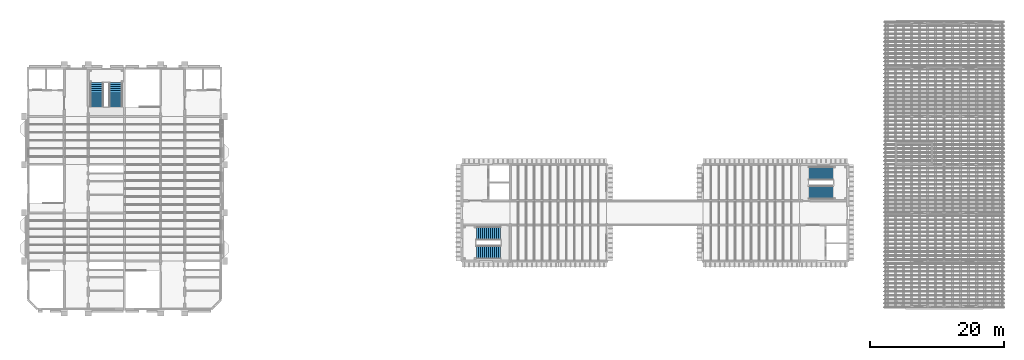
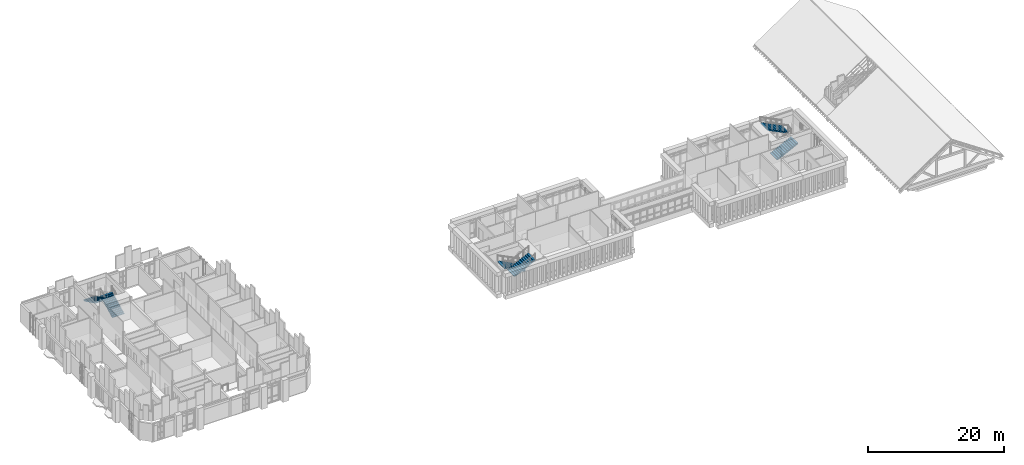
# One storey, part 45 of 51: 6 stair flights, 3 elements without a shape of their own.
"""IFC4 building model written with IfcOpenShell, lengths in metres."""

from ifc_helpers import new_model, si_unit, direction, frame, origin, place, context, subcontext, project, spatial, faceted_brep, material, type_object, element, aggregate, save


model = new_model("IFC4")

# Units and contexts
model_context = context("Model", 3, precision=1e-05, world=origin(), true_north=direction((0.0, 1.0)))
body_context = subcontext(model_context, "Body", "Model", "MODEL_VIEW")
ifc_project = project(units=[si_unit("LENGTHUNIT", "METRE"), si_unit("AREAUNIT", "SQUARE_METRE"), si_unit("VOLUMEUNIT", "CUBIC_METRE"), si_unit("PLANEANGLEUNIT", "RADIAN"), si_unit("MASSUNIT", "GRAM", prefix="KILO")], contexts=[model_context])

# Site, building, storey
site_placement = place(None, origin())
site = spatial("IfcSite", under=ifc_project, at=site_placement, CompositionType="ELEMENT")
building_placement = place(site_placement, origin())
building = spatial("IfcBuilding", under=site, at=building_placement, Name="Mazhai Court Health Centre", CompositionType="ELEMENT")
storey_placement = place(building_placement, frame((0.0, 0.0, 14.10009765625)))
storey = spatial("IfcBuildingStorey", under=building, at=storey_placement, Name="L03", CompositionType="ELEMENT", Elevation=14.10009765625)

# Stair, stair flights
ifc_material_1 = material(Name="Concrete M40", Category="concrete")
stair_type = type_object("IfcStairType", Name="RC STAIR 2000 26R", PredefinedType="DOUBLE_RETURN_STAIR", material=ifc_material_1)
stair_1_placement = place(storey_placement, origin())
stair_1 = element("IfcStair", 1, at=stair_1_placement, inside=storey, type_object=stair_type, Name="L03 Stair 3", PredefinedType="HALF_TURN_STAIR")
ifc_material_2 = material(Name="Concrete M40", Category="concrete")
stair_flight_type = type_object("IfcStairFlightType", Name="RC STAIR FLIGHT 13R 2000", PredefinedType="STRAIGHT", material=ifc_material_2)
stair_flight_1_placement = place(storey_placement, frame((19.304931640625, 36.43505859375, 0.0), z_axis=(0.0, 0.0, 1.0), x_axis=(0.0, 1.0, 0.0)))
stair_flight_1 = element("IfcStairFlight", 2, at=stair_flight_1_placement, type_object=stair_flight_type, Name="ST3 flight 1", NumberOfRisers=13, NumberOfTreads=12, PredefinedType="STRAIGHT", RiserHeight=0.15, TreadLength=0.3, context=body_context, shape_type="Brep", body=[
    faceted_brep([(0.0, 1.0, 0.0), (0.0, 1.0, 0.14990234375), (0.300048828125, 1.0, 0.14990234375), (0.300048828125, 1.0, 0.300048828125), (0.60009765625, 1.0, 0.300048828125), (0.60009765625, 1.0, 0.449951171875), (0.89990234375, 1.0, 0.449951171875), (0.89990234375, 1.0, 0.60009765625), (1.199951171875, 1.0, 0.60009765625), (1.199951171875, 1.0, 0.75), (1.5, 1.0, 0.75), (1.5, 1.0, 0.89990234375), (1.800048828125, 1.0, 0.89990234375), (1.800048828125, 1.0, 1.050048828125), (2.10009765625, 1.0, 1.050048828125), (2.10009765625, 1.0, 1.199951171875), (2.39990234375, 1.0, 1.199951171875), (2.39990234375, 1.0, 1.35009765625), (2.699951171875, 1.0, 1.35009765625), (2.699951171875, 1.0, 1.5), (3.0, 1.0, 1.5), (3.0, 1.0, 1.64990234375), (3.300048828125, 1.0, 1.64990234375), (3.300048828125, 1.0, 1.800048828125), (3.60009765625, 1.0, 1.800048828125), (3.60009765625, 1.0, 1.63232421875), (0.335205078125, 1.0, 0.0), (0.335205078125, -1.0, 0.0), (3.60009765625, -1.0, 1.63232421875), (3.60009765625, -1.0, 1.800048828125), (3.300048828125, -1.0, 1.800048828125), (3.300048828125, -1.0, 1.64990234375), (3.0, -1.0, 1.64990234375), (3.0, -1.0, 1.5), (2.699951171875, -1.0, 1.5), (2.699951171875, -1.0, 1.35009765625), (2.39990234375, -1.0, 1.35009765625), (2.39990234375, -1.0, 1.199951171875), (2.10009765625, -1.0, 1.199951171875), (2.10009765625, -1.0, 1.050048828125), (1.800048828125, -1.0, 1.050048828125), (1.800048828125, -1.0, 0.89990234375), (1.5, -1.0, 0.89990234375), (1.5, -1.0, 0.75), (1.199951171875, -1.0, 0.75), (1.199951171875, -1.0, 0.60009765625), (0.89990234375, -1.0, 0.60009765625), (0.89990234375, -1.0, 0.449951171875), (0.60009765625, -1.0, 0.449951171875), (0.60009765625, -1.0, 0.300048828125), (0.300048828125, -1.0, 0.300048828125), (0.300048828125, -1.0, 0.14990234375), (0.0, -1.0, 0.14990234375), (0.0, -1.0, 0.0), (0.0, 0.0, 0.0), (0.0, 0.0, 0.14990234375), (0.300048828125, 0.0, 0.14990234375), (0.300048828125, 0.0, 0.300048828125), (0.60009765625, 0.0, 0.300048828125), (0.60009765625, 0.0, 0.449951171875), (0.89990234375, 0.0, 0.449951171875), (0.89990234375, 0.0, 0.60009765625), (1.199951171875, 0.0, 0.60009765625), (1.199951171875, 0.0, 0.75), (1.5, 0.0, 0.75), (1.5, 0.0, 0.89990234375), (1.800048828125, 0.0, 0.89990234375), (1.800048828125, 0.0, 1.050048828125), (2.10009765625, 0.0, 1.050048828125), (2.10009765625, 0.0, 1.199951171875), (2.39990234375, 0.0, 1.199951171875), (2.39990234375, 0.0, 1.35009765625), (2.699951171875, 0.0, 1.35009765625), (2.699951171875, 0.0, 1.5), (3.0, 0.0, 1.5), (3.0, 0.0, 1.64990234375), (3.300048828125, 0.0, 1.64990234375), (3.300048828125, 0.0, 1.800048828125), (3.60009765625, 0.0, 1.800048828125), (3.60009765625, 0.0, 1.63232421875), (0.335205078125, 0.0, 0.0)], [[[0, 1, 2, 3, 4, 5, 6, 7, 8, 9, 10, 11, 12, 13, 14, 15, 16, 17, 18, 19, 20, 21, 22, 23, 24, 25, 26]], [[27, 28, 29, 30, 31, 32, 33, 34, 35, 36, 37, 38, 39, 40, 41, 42, 43, 44, 45, 46, 47, 48, 49, 50, 51, 52, 53]], [[54, 55, 1, 0]], [[53, 52, 55, 54]], [[55, 56, 2, 1]], [[52, 51, 56, 55]], [[56, 57, 3, 2]], [[51, 50, 57, 56]], [[57, 58, 4, 3]], [[50, 49, 58, 57]], [[58, 59, 5, 4]], [[49, 48, 59, 58]], [[59, 60, 6, 5]], [[48, 47, 60, 59]], [[60, 61, 7, 6]], [[47, 46, 61, 60]], [[61, 62, 8, 7]], [[46, 45, 62, 61]], [[62, 63, 9, 8]], [[45, 44, 63, 62]], [[63, 64, 10, 9]], [[44, 43, 64, 63]], [[64, 65, 11, 10]], [[43, 42, 65, 64]], [[65, 66, 12, 11]], [[42, 41, 66, 65]], [[66, 67, 13, 12]], [[41, 40, 67, 66]], [[67, 68, 14, 13]], [[40, 39, 68, 67]], [[68, 69, 15, 14]], [[39, 38, 69, 68]], [[69, 70, 16, 15]], [[38, 37, 70, 69]], [[70, 71, 17, 16]], [[37, 36, 71, 70]], [[71, 72, 18, 17]], [[36, 35, 72, 71]], [[72, 73, 19, 18]], [[35, 34, 73, 72]], [[73, 74, 20, 19]], [[34, 33, 74, 73]], [[74, 75, 21, 20]], [[33, 32, 75, 74]], [[75, 76, 22, 21]], [[32, 31, 76, 75]], [[76, 77, 23, 22]], [[31, 30, 77, 76]], [[77, 78, 24, 23]], [[30, 29, 78, 77]], [[78, 79, 25, 24]], [[29, 28, 79, 78]], [[79, 80, 26, 25]], [[28, 27, 80, 79]], [[80, 54, 0, 26]], [[27, 53, 54, 80]]]),
])
stair_flight_2_placement = place(storey_placement, frame((16.455078125, 40.034912109375, 1.949951171875), z_axis=(0.0, 0.0, 1.0), x_axis=(0.0, -1.0, 0.0)))
stair_flight_2 = element("IfcStairFlight", 3, at=stair_flight_2_placement, type_object=stair_flight_type, Name="ST3 flight 2", NumberOfRisers=13, NumberOfTreads=12, PredefinedType="STRAIGHT", RiserHeight=0.15, TreadLength=0.3, context=body_context, shape_type="Brep", body=[
    faceted_brep([(0.0, 1.0, 0.0), (0.0, 1.0, 0.14990234375), (0.300048828125, 1.0, 0.14990234375), (0.300048828125, 1.0, 0.300048828125), (0.60009765625, 1.0, 0.300048828125), (0.60009765625, 1.0, 0.449951171875), (0.89990234375, 1.0, 0.449951171875), (0.89990234375, 1.0, 0.60009765625), (1.199951171875, 1.0, 0.60009765625), (1.199951171875, 1.0, 0.75), (1.5, 1.0, 0.75), (1.5, 1.0, 0.89990234375), (1.800048828125, 1.0, 0.89990234375), (1.800048828125, 1.0, 1.050048828125), (2.10009765625, 1.0, 1.050048828125), (2.10009765625, 1.0, 1.199951171875), (2.39990234375, 1.0, 1.199951171875), (2.39990234375, 1.0, 1.35009765625), (2.699951171875, 1.0, 1.35009765625), (2.699951171875, 1.0, 1.5), (3.0, 1.0, 1.5), (3.0, 1.0, 1.64990234375), (3.300048828125, 1.0, 1.64990234375), (3.300048828125, 1.0, 1.800048828125), (3.60009765625, 1.0, 1.800048828125), (3.60009765625, 1.0, 1.63232421875), (0.335205078125, 1.0, 0.0), (0.335205078125, -1.0, 0.0), (3.60009765625, -1.0, 1.63232421875), (3.60009765625, -1.0, 1.800048828125), (3.300048828125, -1.0, 1.800048828125), (3.300048828125, -1.0, 1.64990234375), (3.0, -1.0, 1.64990234375), (3.0, -1.0, 1.5), (2.699951171875, -1.0, 1.5), (2.699951171875, -1.0, 1.35009765625), (2.39990234375, -1.0, 1.35009765625), (2.39990234375, -1.0, 1.199951171875), (2.10009765625, -1.0, 1.199951171875), (2.10009765625, -1.0, 1.050048828125), (1.800048828125, -1.0, 1.050048828125), (1.800048828125, -1.0, 0.89990234375), (1.5, -1.0, 0.89990234375), (1.5, -1.0, 0.75), (1.199951171875, -1.0, 0.75), (1.199951171875, -1.0, 0.60009765625), (0.89990234375, -1.0, 0.60009765625), (0.89990234375, -1.0, 0.449951171875), (0.60009765625, -1.0, 0.449951171875), (0.60009765625, -1.0, 0.300048828125), (0.300048828125, -1.0, 0.300048828125), (0.300048828125, -1.0, 0.14990234375), (0.0, -1.0, 0.14990234375), (0.0, -1.0, 0.0), (0.0, 0.0, 0.0), (0.0, 0.0, 0.14990234375), (0.300048828125, 0.0, 0.14990234375), (0.300048828125, 0.0, 0.300048828125), (0.60009765625, 0.0, 0.300048828125), (0.60009765625, 0.0, 0.449951171875), (0.89990234375, 0.0, 0.449951171875), (0.89990234375, 0.0, 0.60009765625), (1.199951171875, 0.0, 0.60009765625), (1.199951171875, 0.0, 0.75), (1.5, 0.0, 0.75), (1.5, 0.0, 0.89990234375), (1.800048828125, 0.0, 0.89990234375), (1.800048828125, 0.0, 1.050048828125), (2.10009765625, 0.0, 1.050048828125), (2.10009765625, 0.0, 1.199951171875), (2.39990234375, 0.0, 1.199951171875), (2.39990234375, 0.0, 1.35009765625), (2.699951171875, 0.0, 1.35009765625), (2.699951171875, 0.0, 1.5), (3.0, 0.0, 1.5), (3.0, 0.0, 1.64990234375), (3.300048828125, 0.0, 1.64990234375), (3.300048828125, 0.0, 1.800048828125), (3.60009765625, 0.0, 1.800048828125), (3.60009765625, 0.0, 1.63232421875), (0.335205078125, 0.0, 0.0)], [[[0, 1, 2, 3, 4, 5, 6, 7, 8, 9, 10, 11, 12, 13, 14, 15, 16, 17, 18, 19, 20, 21, 22, 23, 24, 25, 26]], [[27, 28, 29, 30, 31, 32, 33, 34, 35, 36, 37, 38, 39, 40, 41, 42, 43, 44, 45, 46, 47, 48, 49, 50, 51, 52, 53]], [[54, 55, 1, 0]], [[53, 52, 55, 54]], [[55, 56, 2, 1]], [[52, 51, 56, 55]], [[56, 57, 3, 2]], [[51, 50, 57, 56]], [[57, 58, 4, 3]], [[50, 49, 58, 57]], [[58, 59, 5, 4]], [[49, 48, 59, 58]], [[59, 60, 6, 5]], [[48, 47, 60, 59]], [[60, 61, 7, 6]], [[47, 46, 61, 60]], [[61, 62, 8, 7]], [[46, 45, 62, 61]], [[62, 63, 9, 8]], [[45, 44, 63, 62]], [[63, 64, 10, 9]], [[44, 43, 64, 63]], [[64, 65, 11, 10]], [[43, 42, 65, 64]], [[65, 66, 12, 11]], [[42, 41, 66, 65]], [[66, 67, 13, 12]], [[41, 40, 67, 66]], [[67, 68, 14, 13]], [[40, 39, 68, 67]], [[68, 69, 15, 14]], [[39, 38, 69, 68]], [[69, 70, 16, 15]], [[38, 37, 70, 69]], [[70, 71, 17, 16]], [[37, 36, 71, 70]], [[71, 72, 18, 17]], [[36, 35, 72, 71]], [[72, 73, 19, 18]], [[35, 34, 73, 72]], [[73, 74, 20, 19]], [[34, 33, 74, 73]], [[74, 75, 21, 20]], [[33, 32, 75, 74]], [[75, 76, 22, 21]], [[32, 31, 76, 75]], [[76, 77, 23, 22]], [[31, 30, 77, 76]], [[77, 78, 24, 23]], [[30, 29, 78, 77]], [[78, 79, 25, 24]], [[29, 28, 79, 78]], [[79, 80, 26, 25]], [[28, 27, 80, 79]], [[80, 54, 0, 26]], [[27, 53, 54, 80]]]),
])
aggregate(stair_1, [stair_flight_1, stair_flight_2])

stair_2_placement = place(storey_placement, origin())
stair_2 = element("IfcStair", 4, at=stair_2_placement, inside=storey, type_object=stair_type, Name="L03 Stair 6", PredefinedType="HALF_TURN_STAIR")
stair_flight_3_placement = place(storey_placement, frame((76.764892578125, 17.544921875, 0.0), z_axis=(0.0, 0.0, 1.0), x_axis=(-1.0, 0.0, 0.0)))
stair_flight_3 = element("IfcStairFlight", 5, at=stair_flight_3_placement, type_object=stair_flight_type, Name="ST6 flight 1", NumberOfRisers=13, NumberOfTreads=12, PredefinedType="STRAIGHT", RiserHeight=0.15, TreadLength=0.3, context=body_context, shape_type="Brep", body=[
    faceted_brep([(0.0, 1.0, 0.0), (0.0, 1.0, 0.14990234375), (0.300048828125, 1.0, 0.14990234375), (0.300048828125, 1.0, 0.300048828125), (0.60009765625, 1.0, 0.300048828125), (0.60009765625, 1.0, 0.449951171875), (0.89990234375, 1.0, 0.449951171875), (0.89990234375, 1.0, 0.60009765625), (1.199951171875, 1.0, 0.60009765625), (1.199951171875, 1.0, 0.75), (1.5, 1.0, 0.75), (1.5, 1.0, 0.89990234375), (1.800048828125, 1.0, 0.89990234375), (1.800048828125, 1.0, 1.050048828125), (2.10009765625, 1.0, 1.050048828125), (2.10009765625, 1.0, 1.199951171875), (2.39990234375, 1.0, 1.199951171875), (2.39990234375, 1.0, 1.35009765625), (2.699951171875, 1.0, 1.35009765625), (2.699951171875, 1.0, 1.5), (3.0, 1.0, 1.5), (3.0, 1.0, 1.64990234375), (3.300048828125, 1.0, 1.64990234375), (3.300048828125, 1.0, 1.800048828125), (3.60009765625, 1.0, 1.800048828125), (3.60009765625, 1.0, 1.63232421875), (0.335205078125, 1.0, 0.0), (0.335205078125, -1.0, 0.0), (3.60009765625, -1.0, 1.63232421875), (3.60009765625, -1.0, 1.800048828125), (3.300048828125, -1.0, 1.800048828125), (3.300048828125, -1.0, 1.64990234375), (3.0, -1.0, 1.64990234375), (3.0, -1.0, 1.5), (2.699951171875, -1.0, 1.5), (2.699951171875, -1.0, 1.35009765625), (2.39990234375, -1.0, 1.35009765625), (2.39990234375, -1.0, 1.199951171875), (2.10009765625, -1.0, 1.199951171875), (2.10009765625, -1.0, 1.050048828125), (1.800048828125, -1.0, 1.050048828125), (1.800048828125, -1.0, 0.89990234375), (1.5, -1.0, 0.89990234375), (1.5, -1.0, 0.75), (1.199951171875, -1.0, 0.75), (1.199951171875, -1.0, 0.60009765625), (0.89990234375, -1.0, 0.60009765625), (0.89990234375, -1.0, 0.449951171875), (0.60009765625, -1.0, 0.449951171875), (0.60009765625, -1.0, 0.300048828125), (0.300048828125, -1.0, 0.300048828125), (0.300048828125, -1.0, 0.14990234375), (0.0, -1.0, 0.14990234375), (0.0, -1.0, 0.0), (0.0, 0.0, 0.0), (0.0, 0.0, 0.14990234375), (0.300048828125, 0.0, 0.14990234375), (0.300048828125, 0.0, 0.300048828125), (0.60009765625, 0.0, 0.300048828125), (0.60009765625, 0.0, 0.449951171875), (0.89990234375, 0.0, 0.449951171875), (0.89990234375, 0.0, 0.60009765625), (1.199951171875, 0.0, 0.60009765625), (1.199951171875, 0.0, 0.75), (1.5, 0.0, 0.75), (1.5, 0.0, 0.89990234375), (1.800048828125, 0.0, 0.89990234375), (1.800048828125, 0.0, 1.050048828125), (2.10009765625, 0.0, 1.050048828125), (2.10009765625, 0.0, 1.199951171875), (2.39990234375, 0.0, 1.199951171875), (2.39990234375, 0.0, 1.35009765625), (2.699951171875, 0.0, 1.35009765625), (2.699951171875, 0.0, 1.5), (3.0, 0.0, 1.5), (3.0, 0.0, 1.64990234375), (3.300048828125, 0.0, 1.64990234375), (3.300048828125, 0.0, 1.800048828125), (3.60009765625, 0.0, 1.800048828125), (3.60009765625, 0.0, 1.63232421875), (0.335205078125, 0.0, 0.0)], [[[0, 1, 2, 3, 4, 5, 6, 7, 8, 9, 10, 11, 12, 13, 14, 15, 16, 17, 18, 19, 20, 21, 22, 23, 24, 25, 26]], [[27, 28, 29, 30, 31, 32, 33, 34, 35, 36, 37, 38, 39, 40, 41, 42, 43, 44, 45, 46, 47, 48, 49, 50, 51, 52, 53]], [[54, 55, 1, 0]], [[53, 52, 55, 54]], [[55, 56, 2, 1]], [[52, 51, 56, 55]], [[56, 57, 3, 2]], [[51, 50, 57, 56]], [[57, 58, 4, 3]], [[50, 49, 58, 57]], [[58, 59, 5, 4]], [[49, 48, 59, 58]], [[59, 60, 6, 5]], [[48, 47, 60, 59]], [[60, 61, 7, 6]], [[47, 46, 61, 60]], [[61, 62, 8, 7]], [[46, 45, 62, 61]], [[62, 63, 9, 8]], [[45, 44, 63, 62]], [[63, 64, 10, 9]], [[44, 43, 64, 63]], [[64, 65, 11, 10]], [[43, 42, 65, 64]], [[65, 66, 12, 11]], [[42, 41, 66, 65]], [[66, 67, 13, 12]], [[41, 40, 67, 66]], [[67, 68, 14, 13]], [[40, 39, 68, 67]], [[68, 69, 15, 14]], [[39, 38, 69, 68]], [[69, 70, 16, 15]], [[38, 37, 70, 69]], [[70, 71, 17, 16]], [[37, 36, 71, 70]], [[71, 72, 18, 17]], [[36, 35, 72, 71]], [[72, 73, 19, 18]], [[35, 34, 73, 72]], [[73, 74, 20, 19]], [[34, 33, 74, 73]], [[74, 75, 21, 20]], [[33, 32, 75, 74]], [[75, 76, 22, 21]], [[32, 31, 76, 75]], [[76, 77, 23, 22]], [[31, 30, 77, 76]], [[77, 78, 24, 23]], [[30, 29, 78, 77]], [[78, 79, 25, 24]], [[29, 28, 79, 78]], [[79, 80, 26, 25]], [[28, 27, 80, 79]], [[80, 54, 0, 26]], [[27, 53, 54, 80]]]),
])
stair_flight_4_placement = place(storey_placement, frame((73.1650390625, 14.695068359375, 1.949951171875), z_axis=(0.0, 0.0, 1.0), x_axis=(1.0, 0.0, 0.0)))
stair_flight_4 = element("IfcStairFlight", 6, at=stair_flight_4_placement, type_object=stair_flight_type, Name="ST6 flight 2", NumberOfRisers=13, NumberOfTreads=12, PredefinedType="STRAIGHT", RiserHeight=0.15, TreadLength=0.3, context=body_context, shape_type="Brep", body=[
    faceted_brep([(0.0, 1.0, 0.0), (0.0, 1.0, 0.14990234375), (0.300048828125, 1.0, 0.14990234375), (0.300048828125, 1.0, 0.300048828125), (0.60009765625, 1.0, 0.300048828125), (0.60009765625, 1.0, 0.449951171875), (0.89990234375, 1.0, 0.449951171875), (0.89990234375, 1.0, 0.60009765625), (1.199951171875, 1.0, 0.60009765625), (1.199951171875, 1.0, 0.75), (1.5, 1.0, 0.75), (1.5, 1.0, 0.89990234375), (1.800048828125, 1.0, 0.89990234375), (1.800048828125, 1.0, 1.050048828125), (2.10009765625, 1.0, 1.050048828125), (2.10009765625, 1.0, 1.199951171875), (2.39990234375, 1.0, 1.199951171875), (2.39990234375, 1.0, 1.35009765625), (2.699951171875, 1.0, 1.35009765625), (2.699951171875, 1.0, 1.5), (3.0, 1.0, 1.5), (3.0, 1.0, 1.64990234375), (3.300048828125, 1.0, 1.64990234375), (3.300048828125, 1.0, 1.800048828125), (3.60009765625, 1.0, 1.800048828125), (3.60009765625, 1.0, 1.63232421875), (0.335205078125, 1.0, 0.0), (0.335205078125, -1.0, 0.0), (3.60009765625, -1.0, 1.63232421875), (3.60009765625, -1.0, 1.800048828125), (3.300048828125, -1.0, 1.800048828125), (3.300048828125, -1.0, 1.64990234375), (3.0, -1.0, 1.64990234375), (3.0, -1.0, 1.5), (2.699951171875, -1.0, 1.5), (2.699951171875, -1.0, 1.35009765625), (2.39990234375, -1.0, 1.35009765625), (2.39990234375, -1.0, 1.199951171875), (2.10009765625, -1.0, 1.199951171875), (2.10009765625, -1.0, 1.050048828125), (1.800048828125, -1.0, 1.050048828125), (1.800048828125, -1.0, 0.89990234375), (1.5, -1.0, 0.89990234375), (1.5, -1.0, 0.75), (1.199951171875, -1.0, 0.75), (1.199951171875, -1.0, 0.60009765625), (0.89990234375, -1.0, 0.60009765625), (0.89990234375, -1.0, 0.449951171875), (0.60009765625, -1.0, 0.449951171875), (0.60009765625, -1.0, 0.300048828125), (0.300048828125, -1.0, 0.300048828125), (0.300048828125, -1.0, 0.14990234375), (0.0, -1.0, 0.14990234375), (0.0, -1.0, 0.0), (0.0, 0.0, 0.0), (0.0, 0.0, 0.14990234375), (0.300048828125, 0.0, 0.14990234375), (0.300048828125, 0.0, 0.300048828125), (0.60009765625, 0.0, 0.300048828125), (0.60009765625, 0.0, 0.449951171875), (0.89990234375, 0.0, 0.449951171875), (0.89990234375, 0.0, 0.60009765625), (1.199951171875, 0.0, 0.60009765625), (1.199951171875, 0.0, 0.75), (1.5, 0.0, 0.75), (1.5, 0.0, 0.89990234375), (1.800048828125, 0.0, 0.89990234375), (1.800048828125, 0.0, 1.050048828125), (2.10009765625, 0.0, 1.050048828125), (2.10009765625, 0.0, 1.199951171875), (2.39990234375, 0.0, 1.199951171875), (2.39990234375, 0.0, 1.35009765625), (2.699951171875, 0.0, 1.35009765625), (2.699951171875, 0.0, 1.5), (3.0, 0.0, 1.5), (3.0, 0.0, 1.64990234375), (3.300048828125, 0.0, 1.64990234375), (3.300048828125, 0.0, 1.800048828125), (3.60009765625, 0.0, 1.800048828125), (3.60009765625, 0.0, 1.63232421875), (0.335205078125, 0.0, 0.0)], [[[0, 1, 2, 3, 4, 5, 6, 7, 8, 9, 10, 11, 12, 13, 14, 15, 16, 17, 18, 19, 20, 21, 22, 23, 24, 25, 26]], [[27, 28, 29, 30, 31, 32, 33, 34, 35, 36, 37, 38, 39, 40, 41, 42, 43, 44, 45, 46, 47, 48, 49, 50, 51, 52, 53]], [[54, 55, 1, 0]], [[53, 52, 55, 54]], [[55, 56, 2, 1]], [[52, 51, 56, 55]], [[56, 57, 3, 2]], [[51, 50, 57, 56]], [[57, 58, 4, 3]], [[50, 49, 58, 57]], [[58, 59, 5, 4]], [[49, 48, 59, 58]], [[59, 60, 6, 5]], [[48, 47, 60, 59]], [[60, 61, 7, 6]], [[47, 46, 61, 60]], [[61, 62, 8, 7]], [[46, 45, 62, 61]], [[62, 63, 9, 8]], [[45, 44, 63, 62]], [[63, 64, 10, 9]], [[44, 43, 64, 63]], [[64, 65, 11, 10]], [[43, 42, 65, 64]], [[65, 66, 12, 11]], [[42, 41, 66, 65]], [[66, 67, 13, 12]], [[41, 40, 67, 66]], [[67, 68, 14, 13]], [[40, 39, 68, 67]], [[68, 69, 15, 14]], [[39, 38, 69, 68]], [[69, 70, 16, 15]], [[38, 37, 70, 69]], [[70, 71, 17, 16]], [[37, 36, 71, 70]], [[71, 72, 18, 17]], [[36, 35, 72, 71]], [[72, 73, 19, 18]], [[35, 34, 73, 72]], [[73, 74, 20, 19]], [[34, 33, 74, 73]], [[74, 75, 21, 20]], [[33, 32, 75, 74]], [[75, 76, 22, 21]], [[32, 31, 76, 75]], [[76, 77, 23, 22]], [[31, 30, 77, 76]], [[77, 78, 24, 23]], [[30, 29, 78, 77]], [[78, 79, 25, 24]], [[29, 28, 79, 78]], [[79, 80, 26, 25]], [[28, 27, 80, 79]], [[80, 54, 0, 26]], [[27, 53, 54, 80]]]),
])
aggregate(stair_2, [stair_flight_3, stair_flight_4])

stair_3_placement = place(storey_placement, origin())
stair_3 = element("IfcStair", 7, at=stair_3_placement, inside=storey, type_object=stair_type, Name="L03 Stair 7", PredefinedType="HALF_TURN_STAIR")
stair_flight_5_placement = place(storey_placement, frame((122.8349609375, 23.655029296875, 0.0), z_axis=(0.0, 0.0, 1.0), x_axis=(1.0, 0.0, 0.0)))
stair_flight_5 = element("IfcStairFlight", 8, at=stair_flight_5_placement, type_object=stair_flight_type, Name="ST7 flight 1", NumberOfRisers=13, NumberOfTreads=12, PredefinedType="STRAIGHT", RiserHeight=0.15, TreadLength=0.3, context=body_context, shape_type="Brep", body=[
    faceted_brep([(0.0, 1.0, 0.0), (0.0, 1.0, 0.14990234375), (0.300048828125, 1.0, 0.14990234375), (0.300048828125, 1.0, 0.300048828125), (0.60009765625, 1.0, 0.300048828125), (0.60009765625, 1.0, 0.449951171875), (0.89990234375, 1.0, 0.449951171875), (0.89990234375, 1.0, 0.60009765625), (1.199951171875, 1.0, 0.60009765625), (1.199951171875, 1.0, 0.75), (1.5, 1.0, 0.75), (1.5, 1.0, 0.89990234375), (1.800048828125, 1.0, 0.89990234375), (1.800048828125, 1.0, 1.050048828125), (2.10009765625, 1.0, 1.050048828125), (2.10009765625, 1.0, 1.199951171875), (2.39990234375, 1.0, 1.199951171875), (2.39990234375, 1.0, 1.35009765625), (2.699951171875, 1.0, 1.35009765625), (2.699951171875, 1.0, 1.5), (3.0, 1.0, 1.5), (3.0, 1.0, 1.64990234375), (3.300048828125, 1.0, 1.64990234375), (3.300048828125, 1.0, 1.800048828125), (3.60009765625, 1.0, 1.800048828125), (3.60009765625, 1.0, 1.63232421875), (0.335205078125, 1.0, 0.0), (0.335205078125, -1.0, 0.0), (3.60009765625, -1.0, 1.63232421875), (3.60009765625, -1.0, 1.800048828125), (3.300048828125, -1.0, 1.800048828125), (3.300048828125, -1.0, 1.64990234375), (3.0, -1.0, 1.64990234375), (3.0, -1.0, 1.5), (2.699951171875, -1.0, 1.5), (2.699951171875, -1.0, 1.35009765625), (2.39990234375, -1.0, 1.35009765625), (2.39990234375, -1.0, 1.199951171875), (2.10009765625, -1.0, 1.199951171875), (2.10009765625, -1.0, 1.050048828125), (1.800048828125, -1.0, 1.050048828125), (1.800048828125, -1.0, 0.89990234375), (1.5, -1.0, 0.89990234375), (1.5, -1.0, 0.75), (1.199951171875, -1.0, 0.75), (1.199951171875, -1.0, 0.60009765625), (0.89990234375, -1.0, 0.60009765625), (0.89990234375, -1.0, 0.449951171875), (0.60009765625, -1.0, 0.449951171875), (0.60009765625, -1.0, 0.300048828125), (0.300048828125, -1.0, 0.300048828125), (0.300048828125, -1.0, 0.14990234375), (0.0, -1.0, 0.14990234375), (0.0, -1.0, 0.0), (0.0, 0.0, 0.0), (0.0, 0.0, 0.14990234375), (0.300048828125, 0.0, 0.14990234375), (0.300048828125, 0.0, 0.300048828125), (0.60009765625, 0.0, 0.300048828125), (0.60009765625, 0.0, 0.449951171875), (0.89990234375, 0.0, 0.449951171875), (0.89990234375, 0.0, 0.60009765625), (1.199951171875, 0.0, 0.60009765625), (1.199951171875, 0.0, 0.75), (1.5, 0.0, 0.75), (1.5, 0.0, 0.89990234375), (1.800048828125, 0.0, 0.89990234375), (1.800048828125, 0.0, 1.050048828125), (2.10009765625, 0.0, 1.050048828125), (2.10009765625, 0.0, 1.199951171875), (2.39990234375, 0.0, 1.199951171875), (2.39990234375, 0.0, 1.35009765625), (2.699951171875, 0.0, 1.35009765625), (2.699951171875, 0.0, 1.5), (3.0, 0.0, 1.5), (3.0, 0.0, 1.64990234375), (3.300048828125, 0.0, 1.64990234375), (3.300048828125, 0.0, 1.800048828125), (3.60009765625, 0.0, 1.800048828125), (3.60009765625, 0.0, 1.63232421875), (0.335205078125, 0.0, 0.0)], [[[0, 1, 2, 3, 4, 5, 6, 7, 8, 9, 10, 11, 12, 13, 14, 15, 16, 17, 18, 19, 20, 21, 22, 23, 24, 25, 26]], [[27, 28, 29, 30, 31, 32, 33, 34, 35, 36, 37, 38, 39, 40, 41, 42, 43, 44, 45, 46, 47, 48, 49, 50, 51, 52, 53]], [[54, 55, 1, 0]], [[53, 52, 55, 54]], [[55, 56, 2, 1]], [[52, 51, 56, 55]], [[56, 57, 3, 2]], [[51, 50, 57, 56]], [[57, 58, 4, 3]], [[50, 49, 58, 57]], [[58, 59, 5, 4]], [[49, 48, 59, 58]], [[59, 60, 6, 5]], [[48, 47, 60, 59]], [[60, 61, 7, 6]], [[47, 46, 61, 60]], [[61, 62, 8, 7]], [[46, 45, 62, 61]], [[62, 63, 9, 8]], [[45, 44, 63, 62]], [[63, 64, 10, 9]], [[44, 43, 64, 63]], [[64, 65, 11, 10]], [[43, 42, 65, 64]], [[65, 66, 12, 11]], [[42, 41, 66, 65]], [[66, 67, 13, 12]], [[41, 40, 67, 66]], [[67, 68, 14, 13]], [[40, 39, 68, 67]], [[68, 69, 15, 14]], [[39, 38, 69, 68]], [[69, 70, 16, 15]], [[38, 37, 70, 69]], [[70, 71, 17, 16]], [[37, 36, 71, 70]], [[71, 72, 18, 17]], [[36, 35, 72, 71]], [[72, 73, 19, 18]], [[35, 34, 73, 72]], [[73, 74, 20, 19]], [[34, 33, 74, 73]], [[74, 75, 21, 20]], [[33, 32, 75, 74]], [[75, 76, 22, 21]], [[32, 31, 76, 75]], [[76, 77, 23, 22]], [[31, 30, 77, 76]], [[77, 78, 24, 23]], [[30, 29, 78, 77]], [[78, 79, 25, 24]], [[29, 28, 79, 78]], [[79, 80, 26, 25]], [[28, 27, 80, 79]], [[80, 54, 0, 26]], [[27, 53, 54, 80]]]),
])
stair_flight_6_placement = place(storey_placement, frame((126.43505859375, 26.5048828125, 1.949951171875), z_axis=(0.0, 0.0, 1.0), x_axis=(-1.0, 0.0, 0.0)))
stair_flight_6 = element("IfcStairFlight", 9, at=stair_flight_6_placement, type_object=stair_flight_type, Name="ST7 flight 2", NumberOfRisers=13, NumberOfTreads=12, PredefinedType="STRAIGHT", RiserHeight=0.15, TreadLength=0.3, context=body_context, shape_type="Brep", body=[
    faceted_brep([(0.0, 1.0, 0.0), (0.0, 1.0, 0.14990234375), (0.300048828125, 1.0, 0.14990234375), (0.300048828125, 1.0, 0.300048828125), (0.60009765625, 1.0, 0.300048828125), (0.60009765625, 1.0, 0.449951171875), (0.89990234375, 1.0, 0.449951171875), (0.89990234375, 1.0, 0.60009765625), (1.199951171875, 1.0, 0.60009765625), (1.199951171875, 1.0, 0.75), (1.5, 1.0, 0.75), (1.5, 1.0, 0.89990234375), (1.800048828125, 1.0, 0.89990234375), (1.800048828125, 1.0, 1.050048828125), (2.10009765625, 1.0, 1.050048828125), (2.10009765625, 1.0, 1.199951171875), (2.39990234375, 1.0, 1.199951171875), (2.39990234375, 1.0, 1.35009765625), (2.699951171875, 1.0, 1.35009765625), (2.699951171875, 1.0, 1.5), (3.0, 1.0, 1.5), (3.0, 1.0, 1.64990234375), (3.300048828125, 1.0, 1.64990234375), (3.300048828125, 1.0, 1.800048828125), (3.60009765625, 1.0, 1.800048828125), (3.60009765625, 1.0, 1.63232421875), (0.335205078125, 1.0, 0.0), (0.335205078125, -1.0, 0.0), (3.60009765625, -1.0, 1.63232421875), (3.60009765625, -1.0, 1.800048828125), (3.300048828125, -1.0, 1.800048828125), (3.300048828125, -1.0, 1.64990234375), (3.0, -1.0, 1.64990234375), (3.0, -1.0, 1.5), (2.699951171875, -1.0, 1.5), (2.699951171875, -1.0, 1.35009765625), (2.39990234375, -1.0, 1.35009765625), (2.39990234375, -1.0, 1.199951171875), (2.10009765625, -1.0, 1.199951171875), (2.10009765625, -1.0, 1.050048828125), (1.800048828125, -1.0, 1.050048828125), (1.800048828125, -1.0, 0.89990234375), (1.5, -1.0, 0.89990234375), (1.5, -1.0, 0.75), (1.199951171875, -1.0, 0.75), (1.199951171875, -1.0, 0.60009765625), (0.89990234375, -1.0, 0.60009765625), (0.89990234375, -1.0, 0.449951171875), (0.60009765625, -1.0, 0.449951171875), (0.60009765625, -1.0, 0.300048828125), (0.300048828125, -1.0, 0.300048828125), (0.300048828125, -1.0, 0.14990234375), (0.0, -1.0, 0.14990234375), (0.0, -1.0, 0.0), (0.0, 0.0, 0.0), (0.0, 0.0, 0.14990234375), (0.300048828125, 0.0, 0.14990234375), (0.300048828125, 0.0, 0.300048828125), (0.60009765625, 0.0, 0.300048828125), (0.60009765625, 0.0, 0.449951171875), (0.89990234375, 0.0, 0.449951171875), (0.89990234375, 0.0, 0.60009765625), (1.199951171875, 0.0, 0.60009765625), (1.199951171875, 0.0, 0.75), (1.5, 0.0, 0.75), (1.5, 0.0, 0.89990234375), (1.800048828125, 0.0, 0.89990234375), (1.800048828125, 0.0, 1.050048828125), (2.10009765625, 0.0, 1.050048828125), (2.10009765625, 0.0, 1.199951171875), (2.39990234375, 0.0, 1.199951171875), (2.39990234375, 0.0, 1.35009765625), (2.699951171875, 0.0, 1.35009765625), (2.699951171875, 0.0, 1.5), (3.0, 0.0, 1.5), (3.0, 0.0, 1.64990234375), (3.300048828125, 0.0, 1.64990234375), (3.300048828125, 0.0, 1.800048828125), (3.60009765625, 0.0, 1.800048828125), (3.60009765625, 0.0, 1.63232421875), (0.335205078125, 0.0, 0.0)], [[[0, 1, 2, 3, 4, 5, 6, 7, 8, 9, 10, 11, 12, 13, 14, 15, 16, 17, 18, 19, 20, 21, 22, 23, 24, 25, 26]], [[27, 28, 29, 30, 31, 32, 33, 34, 35, 36, 37, 38, 39, 40, 41, 42, 43, 44, 45, 46, 47, 48, 49, 50, 51, 52, 53]], [[54, 55, 1, 0]], [[53, 52, 55, 54]], [[55, 56, 2, 1]], [[52, 51, 56, 55]], [[56, 57, 3, 2]], [[51, 50, 57, 56]], [[57, 58, 4, 3]], [[50, 49, 58, 57]], [[58, 59, 5, 4]], [[49, 48, 59, 58]], [[59, 60, 6, 5]], [[48, 47, 60, 59]], [[60, 61, 7, 6]], [[47, 46, 61, 60]], [[61, 62, 8, 7]], [[46, 45, 62, 61]], [[62, 63, 9, 8]], [[45, 44, 63, 62]], [[63, 64, 10, 9]], [[44, 43, 64, 63]], [[64, 65, 11, 10]], [[43, 42, 65, 64]], [[65, 66, 12, 11]], [[42, 41, 66, 65]], [[66, 67, 13, 12]], [[41, 40, 67, 66]], [[67, 68, 14, 13]], [[40, 39, 68, 67]], [[68, 69, 15, 14]], [[39, 38, 69, 68]], [[69, 70, 16, 15]], [[38, 37, 70, 69]], [[70, 71, 17, 16]], [[37, 36, 71, 70]], [[71, 72, 18, 17]], [[36, 35, 72, 71]], [[72, 73, 19, 18]], [[35, 34, 73, 72]], [[73, 74, 20, 19]], [[34, 33, 74, 73]], [[74, 75, 21, 20]], [[33, 32, 75, 74]], [[75, 76, 22, 21]], [[32, 31, 76, 75]], [[76, 77, 23, 22]], [[31, 30, 77, 76]], [[77, 78, 24, 23]], [[30, 29, 78, 77]], [[78, 79, 25, 24]], [[29, 28, 79, 78]], [[79, 80, 26, 25]], [[28, 27, 80, 79]], [[80, 54, 0, 26]], [[27, 53, 54, 80]]]),
])
aggregate(stair_3, [stair_flight_5, stair_flight_6])

save(model, "model.ifc")
